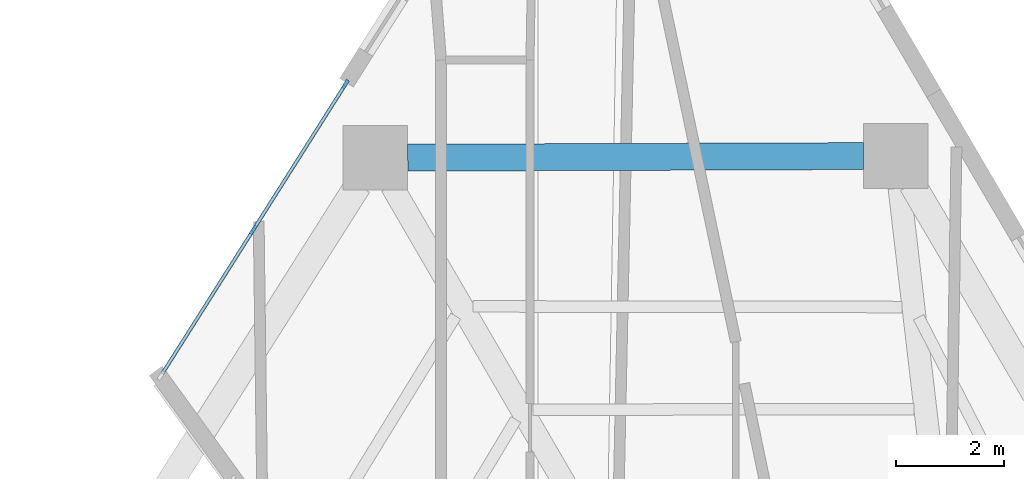
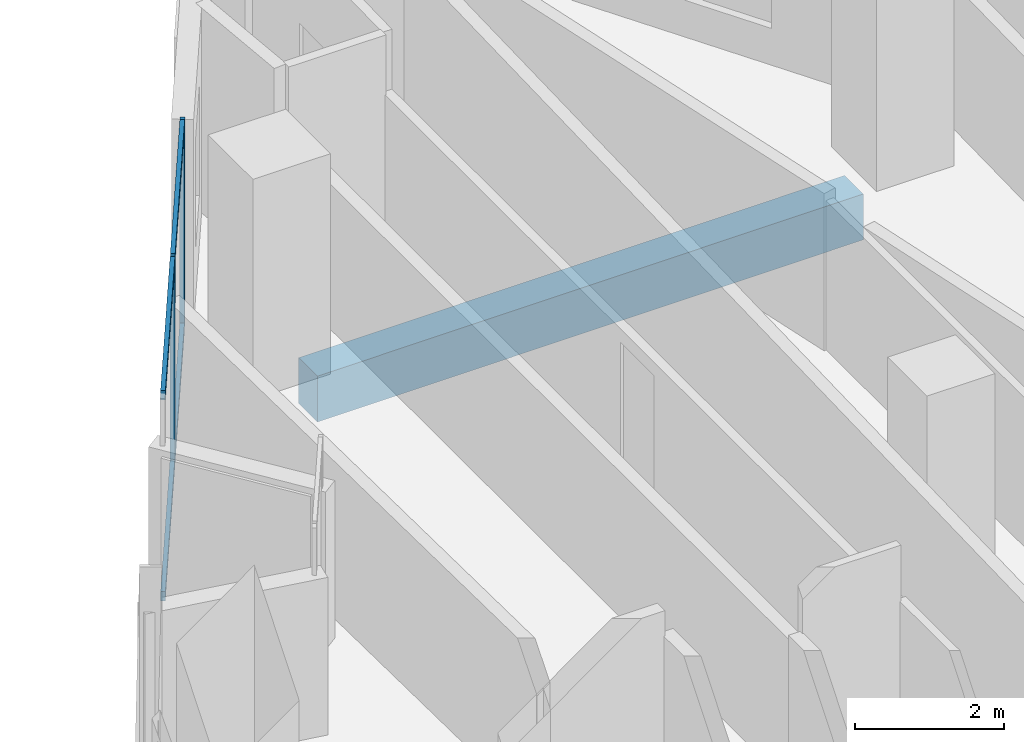
# One storey, part 5 of 12: 6 members, 1 beam, 1 element without a shape of its own.
"""IFC4 building model written with IfcOpenShell, lengths in metres."""

from ifc_helpers import new_model, si_unit, direction, frame, origin, origin_2d, place, context, subcontext, project, spatial, rectangle, extrude, material, layer, layer_set, material_profile, profile_set, type_object, element, aggregate, save


model = new_model("IFC4")

# Units and contexts
model_context = context("Model", 3, precision=1e-05, world=origin(), true_north=direction((0.0, 1.0)))
body_context = subcontext(model_context, "Body", "Model", "MODEL_VIEW")
ifc_project = project(units=[si_unit("LENGTHUNIT", "METRE"), si_unit("AREAUNIT", "SQUARE_METRE"), si_unit("VOLUMEUNIT", "CUBIC_METRE"), si_unit("PLANEANGLEUNIT", "RADIAN"), si_unit("MASSUNIT", "GRAM", prefix="KILO")], contexts=[model_context])

# Site, building, storey
site_placement = place(None, origin())
site = spatial("IfcSite", under=ifc_project, at=site_placement, CompositionType="ELEMENT")
building_placement = place(site_placement, origin())
building = spatial("IfcBuilding", under=site, at=building_placement, Name="Almagre Mirador Tower", CompositionType="ELEMENT")
storey_placement = place(building_placement, frame((0.0, 0.0, 121.199951171875)))
storey = spatial("IfcBuildingStorey", under=building, at=storey_placement, Name="L30", CompositionType="ELEMENT", Elevation=121.199951171875)

# Beam
ifc_material_1 = material(Name="Precast concrete C50/60", Category="concrete")
ifc_material_profile_1 = material_profile(ifc_material_1, rectangle(XDim=0.5, YDim=0.75, at=origin_2d()), Name="RC500X750")
ifc_profile_set_1 = profile_set([ifc_material_profile_1], Name="Precast concrete C50/60")
beam_type = type_object("IfcBeamType", Name="BM-SPN-RC500X750", PredefinedType="SPANDREL", material=ifc_profile_set_1)
beam_placement = place(storey_placement, frame((41.197021484375, 35.197998046875, -0.625), z_axis=(-0.999993795162, -0.003522731665, 0.0), x_axis=(0.003522731665, -0.999993795162, 0.0)))
element("IfcBeam", 1, at=beam_placement, inside=storey, type_object=beam_type, Name="L30 perimeter spandrel beam PC08-PC09", PredefinedType="SPANDREL", context=body_context, shape_type="SweptSolid", body=[
    extrude(rectangle(XDim=0.5, YDim=0.75, at=origin_2d()), origin(), (0.0, 0.0, 1.0), 8.455078125),
])

# Curtain wall, members
ifc_material_2 = material(Name="Black anodized aluminium", Category="aluminium")
ifc_layer = layer(ifc_material_2, 0.199951171875)
ifc_layer_set = layer_set([ifc_layer], Name="Black anodized aluminium")
curtain_wall_type = type_object("IfcCurtainWallType", Name="CW-RES-H-SYS", PredefinedType="NOTDEFINED", material=ifc_layer_set)
curtain_wall_placement = place(storey_placement, origin())
curtain_wall = element("IfcCurtainWall", 2, at=curtain_wall_placement, inside=storey, type_object=curtain_wall_type, Name="L30 curtain wall run 02", PredefinedType="NOTDEFINED")
ifc_material_3 = material(Name="Black anodized aluminium", Category="aluminium")
ifc_material_profile_2 = material_profile(ifc_material_3, rectangle(XDim=0.06494140625, YDim=0.179931640625, at=origin_2d()), Name="CWM65X180")
ifc_profile_set_2 = profile_set([ifc_material_profile_2], Name="Black anodized aluminium")
member_type_1 = type_object("IfcMemberType", Name="MBR-CWM65X180", PredefinedType="MULLION", material=ifc_profile_set_2)
member_1_placement = place(storey_placement, frame((29.876220703125, 33.830078125, 0.0), z_axis=(0.0, 0.0, 1.0), x_axis=(-0.844923983593, 0.534886400976, 0.0)))
member_1 = element("IfcMember", 3, at=member_1_placement, type_object=member_type_1, Name="CW-3 mullion 2", PredefinedType="MULLION", context=body_context, shape_type="SweptSolid", body=[
    extrude(rectangle(XDim=0.06494140625, YDim=0.179931640625, at=origin_2d()), origin(), (0.0, 0.0, 1.0), 3.35009765625),
])
member_2_placement = place(storey_placement, frame((31.587158203125, 36.532470703125, 0.0), z_axis=(0.0, 0.0, 1.0), x_axis=(-0.844923983593, 0.534886400976, 0.0)))
member_2 = element("IfcMember", 4, at=member_2_placement, type_object=member_type_1, Name="CW-3 mullion 3", PredefinedType="MULLION", context=body_context, shape_type="SweptSolid", body=[
    extrude(rectangle(XDim=0.06494140625, YDim=0.179931640625, at=origin_2d()), origin(), (0.0, 0.0, 1.0), 3.35009765625),
])
ifc_material_4 = material(Name="Black anodized aluminium", Category="aluminium")
ifc_material_profile_3 = material_profile(ifc_material_4, rectangle(XDim=0.06494140625, YDim=0.14990234375, at=origin_2d()), Name="CWT65X150")
ifc_profile_set_3 = profile_set([ifc_material_profile_3], Name="Black anodized aluminium")
member_type_2 = type_object("IfcMemberType", Name="MBR-CWT65X150", PredefinedType="USERDEFINED", material=ifc_profile_set_3)
member_3_placement = place(storey_placement, frame((28.182861328125, 31.155029296875, 0.032470703125), z_axis=(0.534892656097, 0.844920023702, 0.0), x_axis=(-0.844920023702, 0.534892656097, 0.0)))
member_3 = element("IfcMember", 5, at=member_3_placement, type_object=member_type_2, Name="CW-3 transom 1.1", ObjectType="TRANSOM", PredefinedType="USERDEFINED", context=body_context, shape_type="SweptSolid", body=[
    extrude(rectangle(XDim=0.06494140625, YDim=0.14990234375, at=origin_2d()), origin(), (0.0, 0.0, 1.0), 3.13330078125),
])
member_4_placement = place(storey_placement, frame((28.182861328125, 31.155029296875, 3.317626953125), z_axis=(0.534892656097, 0.844920023702, 0.0), x_axis=(-0.844920023702, 0.534892656097, 0.0)))
member_4 = element("IfcMember", 6, at=member_4_placement, type_object=member_type_2, Name="CW-3 transom 1.2", ObjectType="TRANSOM", PredefinedType="USERDEFINED", context=body_context, shape_type="SweptSolid", body=[
    extrude(rectangle(XDim=0.06494140625, YDim=0.14990234375, at=origin_2d()), origin(), (0.0, 0.0, 1.0), 3.13330078125),
])
member_5_placement = place(storey_placement, frame((29.8935546875, 33.857421875, 0.032470703125), z_axis=(0.534913063687, 0.844907103945, 0.0), x_axis=(-0.844907103945, 0.534913063687, 0.0)))
member_5 = element("IfcMember", 7, at=member_5_placement, type_object=member_type_2, Name="CW-3 transom 2.1", ObjectType="TRANSOM", PredefinedType="USERDEFINED", context=body_context, shape_type="SweptSolid", body=[
    extrude(rectangle(XDim=0.06494140625, YDim=0.14990234375, at=origin_2d()), origin(), (0.0, 0.0, 1.0), 3.1337890625),
])
member_6_placement = place(storey_placement, frame((29.8935546875, 33.857421875, 3.317626953125), z_axis=(0.534913063687, 0.844907103945, 0.0), x_axis=(-0.844907103945, 0.534913063687, 0.0)))
member_6 = element("IfcMember", 8, at=member_6_placement, type_object=member_type_2, Name="CW-3 transom 2.2", ObjectType="TRANSOM", PredefinedType="USERDEFINED", context=body_context, shape_type="SweptSolid", body=[
    extrude(rectangle(XDim=0.06494140625, YDim=0.14990234375, at=origin_2d()), origin(), (0.0, 0.0, 1.0), 3.1337890625),
])
aggregate(curtain_wall, [member_1, member_2, member_3, member_4, member_5, member_6])

save(model, "model.ifc")
